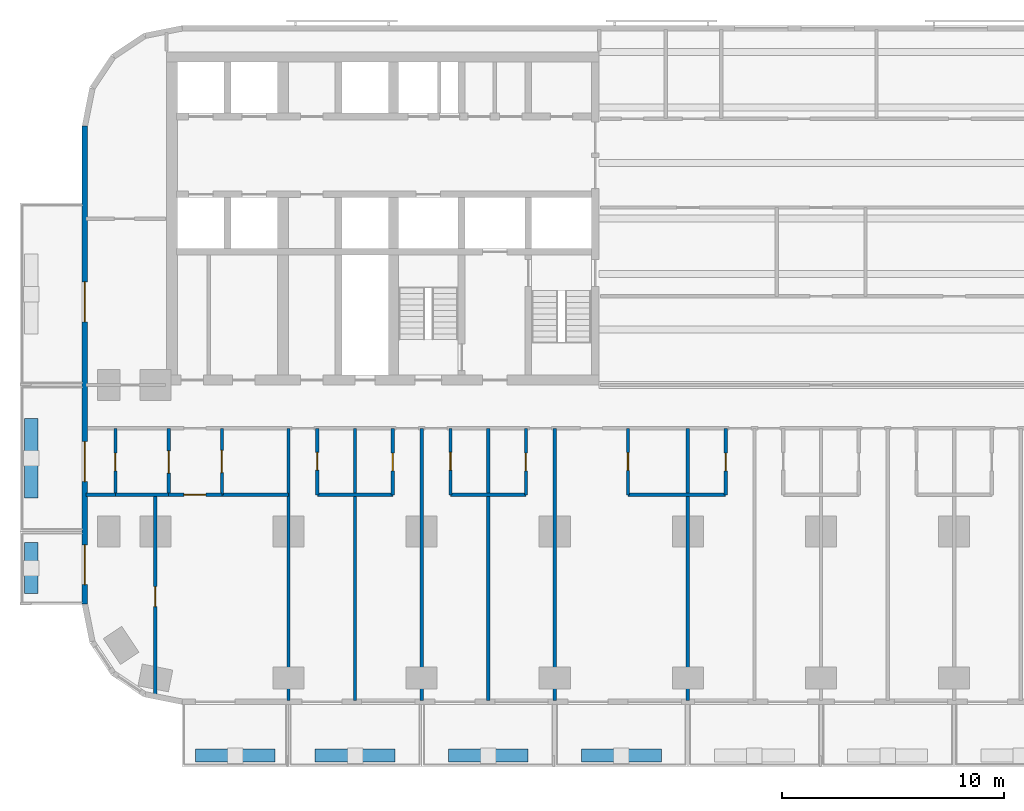
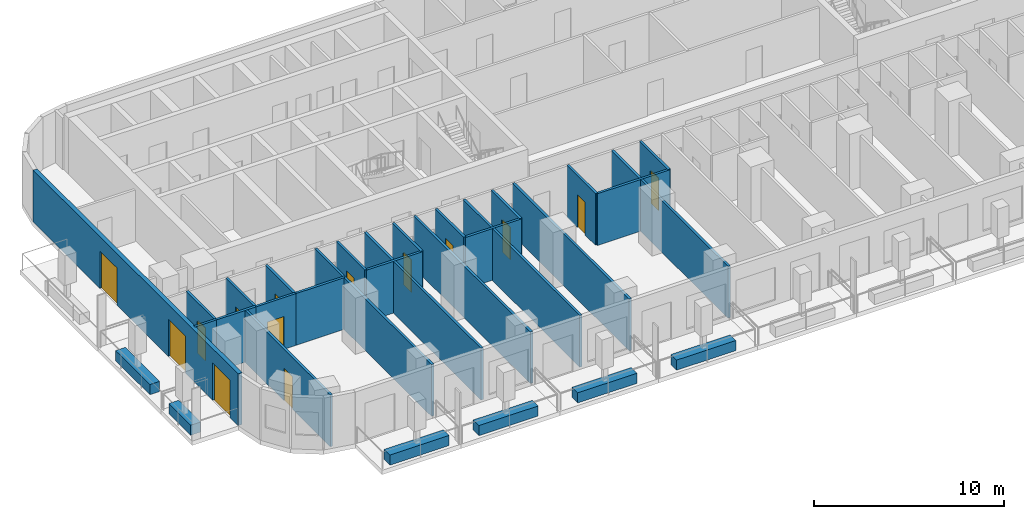
# One storey, part 2 of 15: 30 walls, 14 doors, 14 openings.
"""IFC4 building model written with IfcOpenShell, lengths in metres."""

from ifc_helpers import new_model, si_unit, direction, frame, frame_2d, origin, place, context, subcontext, project, spatial, rectangle, extrude, material, layer, layer_set, type_object, element, fill, save


model = new_model("IFC4")

# Units and contexts
model_context = context("Model", 3, precision=1e-05, world=origin(), true_north=direction((0.0, 1.0)))
body_context = subcontext(model_context, "Body", "Model", "MODEL_VIEW")
ifc_project = project(units=[si_unit("LENGTHUNIT", "METRE"), si_unit("AREAUNIT", "SQUARE_METRE"), si_unit("VOLUMEUNIT", "CUBIC_METRE"), si_unit("PLANEANGLEUNIT", "RADIAN"), si_unit("MASSUNIT", "GRAM", prefix="KILO")], contexts=[model_context])

# Site, building, storey
site_placement = place(None, origin())
site = spatial("IfcSite", under=ifc_project, at=site_placement, CompositionType="ELEMENT")
building_placement = place(site_placement, origin())
building = spatial("IfcBuilding", under=site, at=building_placement, Name="Torana Hotel and Residences", CompositionType="ELEMENT")
storey_placement = place(building_placement, frame((0.0, 0.0, 31.199951171875)))
storey = spatial("IfcBuildingStorey", under=building, at=storey_placement, Name="L06", CompositionType="ELEMENT", Elevation=31.199951171875)

# Wall, openings, doors
ifc_material_1 = material(Name="Black aluminium composite panel", Category="aluminium")
ifc_layer_1 = layer(ifc_material_1, 0.00390625, Name="Cladding", Category="cladding")
ifc_material_2 = material(Name="Ventilated air cavity")
ifc_layer_2 = layer(ifc_material_2, 0.0400390625, Name="Ventilated cavity", Category="cavity")
ifc_material_3 = material(Name="Mineral wool insulation")
ifc_layer_3 = layer(ifc_material_3, 0.090087890625, Name="Insulation", Category="insulation")
ifc_material_4 = material(Name="Steel S280GD", Category="steel")
ifc_layer_4 = layer(ifc_material_4, 0.092041015625, Name="Steel stud frame", Category="structure")
ifc_material_5 = material(Name="Fire rated plasterboard")
ifc_layer_5 = layer(ifc_material_5, 0.011962890625, Name="Inner board", Category="finish")
ifc_layer_6 = layer(ifc_material_5, 0.011962890625, Name="Second board", Category="finish")
ifc_layer_set_1 = layer_set([ifc_layer_1, ifc_layer_2, ifc_layer_3, ifc_layer_4, ifc_layer_5, ifc_layer_6], Name="EW1 EXTERNAL WALL BLACK METAL CLAD 250")
wall_type_1 = type_object("IfcWallType", Name="EW1 EXTERNAL WALL BLACK METAL CLAD 250", PredefinedType="SOLIDWALL", material=ifc_layer_set_1)
wall_1_placement = place(storey_placement, frame((-33.175048828125, -3.32470703125, 0.0), z_axis=(0.0, 0.0, 1.0), x_axis=(0.0, -1.0, 0.0)))
wall_1 = element("IfcWall", 1, at=wall_1_placement, inside=storey, type_object=wall_type_1, Name="External wall L06 e0.9", PredefinedType="SOLIDWALL", context=body_context, shape_type="SweptSolid", body=[
    extrude(rectangle(XDim=21.55078125, YDim=0.25, at=frame_2d((10.775390625, 0.0))), origin(), (0.0, 0.0, 1.0), 3.320068359375),
])
opening_1_placement = place(wall_1_placement, frame((7.025390625, 0.0, 0.0)))
opening_1 = element("IfcOpeningElement", 2, at=opening_1_placement, cuts=wall_1, Name="Opening L06-E14", PredefinedType="OPENING", context=body_context, shape_type="SweptSolid", body=[
    extrude(rectangle(XDim=1.800048828125, YDim=2.39990234375, at=frame_2d((0.89990234375, 1.199951171875))), frame((0.0, 0.135009765625, 0.0), z_axis=(0.0, -1.0, 0.0), x_axis=(1.0, 0.0, 0.0)), (0.0, 0.0, 1.0), 0.27001953125),
])
opening_2_placement = place(wall_1_placement, frame((14.225341796875, 0.0, 0.0)))
opening_2 = element("IfcOpeningElement", 3, at=opening_2_placement, cuts=wall_1, Name="Opening L06-E15", PredefinedType="OPENING", context=body_context, shape_type="SweptSolid", body=[
    extrude(rectangle(XDim=1.800048828125, YDim=2.39990234375, at=frame_2d((0.89990234375, 1.199951171875))), frame((0.0, 0.135009765625, 0.0), z_axis=(0.0, -1.0, 0.0), x_axis=(1.0, 0.0, 0.0)), (0.0, 0.0, 1.0), 0.27001953125),
])
opening_3_placement = place(wall_1_placement, frame((18.87548828125, 0.0, 0.0)))
opening_3 = element("IfcOpeningElement", 4, at=opening_3_placement, cuts=wall_1, Name="Opening L06-E16", PredefinedType="OPENING", context=body_context, shape_type="SweptSolid", body=[
    extrude(rectangle(XDim=1.800048828125, YDim=2.39990234375, at=frame_2d((0.89990234375, 1.199951171875))), frame((0.0, 0.135009765625, 0.0), z_axis=(0.0, -1.0, 0.0), x_axis=(1.0, 0.0, 0.0)), (0.0, 0.0, 1.0), 0.27001953125),
])
ifc_material_6 = material(Name="Dark glass in black aluminium frame", Category="aluminium")
door_type_1 = type_object("IfcDoorType", Name="DB1 BALCONY DOOR 1800x2400", OperationType="DOUBLE_DOOR_SINGLE_SWING", PredefinedType="DOOR", material=ifc_material_6)
door_1_placement = place(opening_1_placement, origin())
door_1 = element("IfcDoor", 5, at=door_1_placement, inside=storey, type_object=door_type_1, Name="Balcony door L06", OperationType="DOUBLE_DOOR_SINGLE_SWING", OverallHeight=2.39990234375, OverallWidth=1.800048828125, PredefinedType="DOOR", context=body_context, shape_type="SweptSolid", body=[
    extrude(rectangle(XDim=1.800048828125, YDim=2.39990234375, at=frame_2d((0.89990234375, 1.199951171875))), frame((0.0, 0.02490234375, 0.0), z_axis=(0.0, -1.0, 0.0), x_axis=(1.0, 0.0, 0.0)), (0.0, 0.0, 1.0), 0.050048828125),
])
fill(opening_1, door_1)
door_2_placement = place(opening_2_placement, origin())
door_2 = element("IfcDoor", 6, at=door_2_placement, inside=storey, type_object=door_type_1, Name="Balcony door L06", OperationType="DOUBLE_DOOR_SINGLE_SWING", OverallHeight=2.39990234375, OverallWidth=1.800048828125, PredefinedType="DOOR", context=body_context, shape_type="SweptSolid", body=[
    extrude(rectangle(XDim=1.800048828125, YDim=2.39990234375, at=frame_2d((0.89990234375, 1.199951171875))), frame((0.0, 0.02490234375, 0.0), z_axis=(0.0, -1.0, 0.0), x_axis=(1.0, 0.0, 0.0)), (0.0, 0.0, 1.0), 0.050048828125),
])
fill(opening_2, door_2)
door_3_placement = place(opening_3_placement, frame((0.89990234375, 0.0, 0.0), z_axis=(0.0, 0.0, 1.0), x_axis=(-1.0, 0.0, 0.0)))
door_3 = element("IfcDoor", 7, at=door_3_placement, inside=storey, type_object=door_type_1, Name="Balcony door L06", OperationType="DOUBLE_DOOR_SINGLE_SWING", OverallHeight=2.39990234375, OverallWidth=1.800048828125, PredefinedType="DOOR", context=body_context, shape_type="SweptSolid", body=[
    extrude(rectangle(XDim=1.800048828125, YDim=2.39990234375, at=frame_2d((0.0, 1.199951171875))), frame((0.0, -0.02490234375, 0.0), z_axis=(0.0, 1.0, 0.0), x_axis=(-1.0, 0.0, 0.0)), (0.0, 0.0, 1.0), 0.050048828125),
])
fill(opening_3, door_3)

# Wall, opening, door
ifc_material_7 = material(Name="Gypsum plaster")
ifc_layer_7 = layer(ifc_material_7, 0.014892578125, Name="Plaster", Category="finish")
ifc_material_8 = material(Name="Concrete blockwork", Category="masonry")
ifc_layer_8 = layer(ifc_material_8, 0.1201171875, Name="Blockwork", Category="structure")
ifc_layer_9 = layer(ifc_material_7, 0.014892578125, Name="Plaster", Category="finish")
ifc_layer_set_2 = layer_set([ifc_layer_7, ifc_layer_8, ifc_layer_9], Name="FIRE PARTITION 150 BLOCKWORK")
wall_type_2 = type_object("IfcWallType", Name="FIRE PARTITION 150 BLOCKWORK", PredefinedType="PARTITIONING", material=ifc_layer_set_2)
wall_2_placement = place(storey_placement, frame((-27.0, -19.949951171875, 0.0), z_axis=(0.0, 0.0, 1.0), x_axis=(0.0, 1.0, 0.0)))
wall_2 = element("IfcWall", 8, at=wall_2_placement, inside=storey, type_object=wall_type_2, Name="Partition L06", PredefinedType="PARTITIONING", context=body_context, shape_type="SweptSolid", body=[
    extrude(rectangle(XDim=3.0, YDim=0.14990234375, at=frame_2d((1.5, 0.0))), origin(), (0.0, 0.0, 1.0), 3.320068359375),
])
opening_4_placement = place(wall_2_placement, frame((1.0, 0.0, 0.0)))
opening_4 = element("IfcOpeningElement", 9, at=opening_4_placement, cuts=wall_2, Name="Opening L06-80", PredefinedType="OPENING", context=body_context, shape_type="SweptSolid", body=[
    extrude(rectangle(XDim=1.0, YDim=2.10009765625, at=frame_2d((0.5, 1.050048828125))), frame((0.0, 0.0849609375, 0.0), z_axis=(0.0, -1.0, 0.0), x_axis=(1.0, 0.0, 0.0)), (0.0, 0.0, 1.0), 0.169921875),
])
ifc_material_9 = material(Name="Steel S235", Category="steel")
door_type_2 = type_object("IfcDoorType", Name="ENTRY FIRE DOOR D6 1000x2100", OperationType="SINGLE_SWING_LEFT", PredefinedType="DOOR", material=ifc_material_9)
door_4_placement = place(opening_4_placement, frame((0.5, 0.0, 0.0), z_axis=(0.0, 0.0, 1.0), x_axis=(-1.0, 0.0, 0.0)))
door_4 = element("IfcDoor", 10, at=door_4_placement, inside=storey, type_object=door_type_2, Name="Door L06", OperationType="SINGLE_SWING_LEFT", OverallHeight=2.10009765625, OverallWidth=1.0, PredefinedType="DOOR", context=body_context, shape_type="SweptSolid", body=[
    extrude(rectangle(XDim=1.0, YDim=2.10009765625, at=frame_2d((0.0, 1.050048828125))), frame((0.0, -0.02490234375, 0.0), z_axis=(0.0, 1.0, 0.0), x_axis=(-1.0, 0.0, 0.0)), (0.0, 0.0, 1.0), 0.050048828125),
])
fill(opening_4, door_4)

wall_3_placement = place(storey_placement, frame((-29.39990234375, -19.949951171875, 0.0), z_axis=(0.0, 0.0, 1.0), x_axis=(0.0, 1.0, 0.0)))
wall_3 = element("IfcWall", 11, at=wall_3_placement, inside=storey, type_object=wall_type_2, Name="Partition L06", PredefinedType="PARTITIONING", context=body_context, shape_type="SweptSolid", body=[
    extrude(rectangle(XDim=3.0, YDim=0.14990234375, at=frame_2d((1.5, 0.0))), origin(), (0.0, 0.0, 1.0), 3.320068359375),
])
opening_5_placement = place(wall_3_placement, frame((0.97998046875, 0.0, 0.0)))
opening_5 = element("IfcOpeningElement", 12, at=opening_5_placement, cuts=wall_3, Name="Opening L06-81", PredefinedType="OPENING", context=body_context, shape_type="SweptSolid", body=[
    extrude(rectangle(XDim=1.0, YDim=2.10009765625, at=frame_2d((0.5, 1.050048828125))), frame((0.0, 0.0849609375, 0.0), z_axis=(0.0, -1.0, 0.0), x_axis=(1.0, 0.0, 0.0)), (0.0, 0.0, 1.0), 0.169921875),
])
door_5_placement = place(opening_5_placement, origin())
door_5 = element("IfcDoor", 13, at=door_5_placement, inside=storey, type_object=door_type_2, Name="Door L06", OperationType="SINGLE_SWING_RIGHT", OverallHeight=2.10009765625, OverallWidth=1.0, PredefinedType="DOOR", context=body_context, shape_type="SweptSolid", body=[
    extrude(rectangle(XDim=1.0, YDim=2.10009765625, at=frame_2d((0.5, 1.050048828125))), frame((0.0, 0.02490234375, 0.0), z_axis=(0.0, -1.0, 0.0), x_axis=(1.0, 0.0, 0.0)), (0.0, 0.0, 1.0), 0.050048828125),
])
fill(opening_5, door_5)

wall_4_placement = place(storey_placement, frame((-29.39990234375, -19.949951171875, 0.0), z_axis=(0.0, 0.0, 1.0), x_axis=(1.0, 0.0, 0.0)))
wall_4 = element("IfcWall", 14, at=wall_4_placement, inside=storey, type_object=wall_type_2, Name="Partition L06", PredefinedType="PARTITIONING", context=body_context, shape_type="SweptSolid", body=[
    extrude(rectangle(XDim=2.39990234375, YDim=0.14990234375, at=frame_2d((1.199951171875, 0.0))), origin(), (0.0, 0.0, 1.0), 3.320068359375),
])
opening_6_placement = place(wall_4_placement, frame((0.679931640625, 0.0, 0.0)))
opening_6 = element("IfcOpeningElement", 15, at=opening_6_placement, cuts=wall_4, Name="Opening L06-82", PredefinedType="OPENING", context=body_context, shape_type="SweptSolid", body=[
    extrude(rectangle(XDim=1.0, YDim=2.10009765625, at=frame_2d((0.5, 1.050048828125))), frame((0.0, 0.0849609375, 0.0), z_axis=(0.0, -1.0, 0.0), x_axis=(1.0, 0.0, 0.0)), (0.0, 0.0, 1.0), 0.169921875),
])
door_6_placement = place(opening_6_placement, frame((0.5, 0.0, 0.0), z_axis=(0.0, 0.0, 1.0), x_axis=(-1.0, 0.0, 0.0)))
door_6 = element("IfcDoor", 16, at=door_6_placement, inside=storey, type_object=door_type_2, Name="Door L06", OperationType="SINGLE_SWING_LEFT", OverallHeight=2.10009765625, OverallWidth=1.0, PredefinedType="DOOR", context=body_context, shape_type="SweptSolid", body=[
    extrude(rectangle(XDim=1.0, YDim=2.10009765625, at=frame_2d((0.0, 1.050048828125))), frame((0.0, -0.02490234375, 0.0), z_axis=(0.0, 1.0, 0.0), x_axis=(-1.0, 0.0, 0.0)), (0.0, 0.0, 1.0), 0.050048828125),
])
fill(opening_6, door_6)

ifc_material_10 = material(Name="Gypsum plasterboard")
ifc_layer_10 = layer(ifc_material_10, 0.012451171875, Name="Plasterboard", Category="finish")
ifc_layer_11 = layer(ifc_material_10, 0.012451171875, Name="Plasterboard", Category="finish")
ifc_layer_12 = layer(ifc_material_4, 0.10009765625, Name="Steel studs with mineral wool", Category="insulation")
ifc_layer_13 = layer(ifc_material_10, 0.012451171875, Name="Plasterboard", Category="finish")
ifc_layer_14 = layer(ifc_material_10, 0.012451171875, Name="Plasterboard", Category="finish")
ifc_layer_set_3 = layer_set([ifc_layer_10, ifc_layer_11, ifc_layer_12, ifc_layer_13, ifc_layer_14], Name="PARTITION 150 PLASTERBOARD")
wall_type_3 = type_object("IfcWallType", Name="PARTITION 150 PLASTERBOARD", PredefinedType="PARTITIONING", material=ifc_layer_set_3)
wall_5_placement = place(storey_placement, frame((-4.300048828125, -19.949951171875, 0.0), z_axis=(0.0, 0.0, 1.0), x_axis=(0.0, 1.0, 0.0)))
wall_5 = element("IfcWall", 17, at=wall_5_placement, inside=storey, type_object=wall_type_3, Name="Partition L06", PredefinedType="PARTITIONING", context=body_context, shape_type="SweptSolid", body=[
    extrude(rectangle(XDim=3.0, YDim=0.14990234375, at=frame_2d((1.5, 0.0))), origin(), (0.0, 0.0, 1.0), 3.320068359375),
])
opening_7_placement = place(wall_5_placement, frame((1.080078125, 0.0, 0.0)))
opening_7 = element("IfcOpeningElement", 18, at=opening_7_placement, cuts=wall_5, Name="Opening L06-70", PredefinedType="OPENING", context=body_context, shape_type="SweptSolid", body=[
    extrude(rectangle(XDim=0.800048828125, YDim=2.10009765625, at=frame_2d((0.39990234375, 1.050048828125))), frame((0.0, 0.0849609375, 0.0), z_axis=(0.0, -1.0, 0.0), x_axis=(1.0, 0.0, 0.0)), (0.0, 0.0, 1.0), 0.169921875),
])
ifc_material_11 = material(Name="Timber door, painted", Category="wood")
door_type_3 = type_object("IfcDoorType", Name="BATH DOOR D13 800x2100", OperationType="SINGLE_SWING_LEFT", PredefinedType="DOOR", material=ifc_material_11)
door_7_placement = place(opening_7_placement, origin())
door_7 = element("IfcDoor", 19, at=door_7_placement, inside=storey, type_object=door_type_3, Name="Door L06", OperationType="SINGLE_SWING_RIGHT", OverallHeight=2.10009765625, OverallWidth=0.800048828125, PredefinedType="DOOR", context=body_context, shape_type="SweptSolid", body=[
    extrude(rectangle(XDim=0.800048828125, YDim=2.10009765625, at=frame_2d((0.39990234375, 1.050048828125))), frame((0.0, 0.02490234375, 0.0), z_axis=(0.0, -1.0, 0.0), x_axis=(1.0, 0.0, 0.0)), (0.0, 0.0, 1.0), 0.050048828125),
])
fill(opening_7, door_7)

# Wall
wall_6_placement = place(storey_placement, frame((-6.0, -29.219970703125, 0.0), z_axis=(0.0, 0.0, 1.0), x_axis=(0.0, 1.0, 0.0)))
element("IfcWall", 20, at=wall_6_placement, inside=storey, type_object=wall_type_3, Name="Partition L06", PredefinedType="PARTITIONING", context=body_context, shape_type="SweptSolid", body=[
    extrude(rectangle(XDim=12.27001953125, YDim=0.14990234375, at=frame_2d((6.135009765625, 0.0))), origin(), (0.0, 0.0, 1.0), 3.320068359375),
])

# Wall, opening, door
wall_7_placement = place(storey_placement, frame((-8.699951171875, -19.949951171875, 0.0), z_axis=(0.0, 0.0, 1.0), x_axis=(0.0, 1.0, 0.0)))
wall_7 = element("IfcWall", 21, at=wall_7_placement, inside=storey, type_object=wall_type_3, Name="Partition L06", PredefinedType="PARTITIONING", context=body_context, shape_type="SweptSolid", body=[
    extrude(rectangle(XDim=3.0, YDim=0.14990234375, at=frame_2d((1.5, 0.0))), origin(), (0.0, 0.0, 1.0), 3.320068359375),
])
opening_8_placement = place(wall_7_placement, frame((1.10009765625, 0.0, 0.0)))
opening_8 = element("IfcOpeningElement", 22, at=opening_8_placement, cuts=wall_7, Name="Opening L06-69", PredefinedType="OPENING", context=body_context, shape_type="SweptSolid", body=[
    extrude(rectangle(XDim=0.800048828125, YDim=2.10009765625, at=frame_2d((0.39990234375, 1.050048828125))), frame((0.0, 0.0849609375, 0.0), z_axis=(0.0, -1.0, 0.0), x_axis=(1.0, 0.0, 0.0)), (0.0, 0.0, 1.0), 0.169921875),
])
door_8_placement = place(opening_8_placement, origin())
door_8 = element("IfcDoor", 23, at=door_8_placement, inside=storey, type_object=door_type_3, Name="Door L06", OperationType="SINGLE_SWING_LEFT", OverallHeight=2.10009765625, OverallWidth=0.800048828125, PredefinedType="DOOR", context=body_context, shape_type="SweptSolid", body=[
    extrude(rectangle(XDim=0.800048828125, YDim=2.10009765625, at=frame_2d((0.39990234375, 1.050048828125))), frame((0.0, 0.02490234375, 0.0), z_axis=(0.0, -1.0, 0.0), x_axis=(1.0, 0.0, 0.0)), (0.0, 0.0, 1.0), 0.050048828125),
])
fill(opening_8, door_8)

# Wall
wall_8_placement = place(storey_placement, frame((-12.0, -29.219970703125, 0.0), z_axis=(0.0, 0.0, 1.0), x_axis=(0.0, 1.0, 0.0)))
element("IfcWall", 24, at=wall_8_placement, inside=storey, type_object=wall_type_3, Name="Partition L06", PredefinedType="PARTITIONING", context=body_context, shape_type="SweptSolid", body=[
    extrude(rectangle(XDim=12.27001953125, YDim=0.14990234375, at=frame_2d((6.135009765625, 0.0))), origin(), (0.0, 0.0, 1.0), 3.320068359375),
])

# Wall, opening, door
wall_9_placement = place(storey_placement, frame((-13.300048828125, -19.949951171875, 0.0), z_axis=(0.0, 0.0, 1.0), x_axis=(0.0, 1.0, 0.0)))
wall_9 = element("IfcWall", 25, at=wall_9_placement, inside=storey, type_object=wall_type_3, Name="Partition L06", PredefinedType="PARTITIONING", context=body_context, shape_type="SweptSolid", body=[
    extrude(rectangle(XDim=3.0, YDim=0.14990234375, at=frame_2d((1.5, 0.0))), origin(), (0.0, 0.0, 1.0), 3.320068359375),
])
opening_9_placement = place(wall_9_placement, frame((1.080078125, 0.0, 0.0)))
opening_9 = element("IfcOpeningElement", 26, at=opening_9_placement, cuts=wall_9, Name="Opening L06-68", PredefinedType="OPENING", context=body_context, shape_type="SweptSolid", body=[
    extrude(rectangle(XDim=0.800048828125, YDim=2.10009765625, at=frame_2d((0.39990234375, 1.050048828125))), frame((0.0, 0.0849609375, 0.0), z_axis=(0.0, -1.0, 0.0), x_axis=(1.0, 0.0, 0.0)), (0.0, 0.0, 1.0), 0.169921875),
])
door_9_placement = place(opening_9_placement, origin())
door_9 = element("IfcDoor", 27, at=door_9_placement, inside=storey, type_object=door_type_3, Name="Door L06", OperationType="SINGLE_SWING_RIGHT", OverallHeight=2.10009765625, OverallWidth=0.800048828125, PredefinedType="DOOR", context=body_context, shape_type="SweptSolid", body=[
    extrude(rectangle(XDim=0.800048828125, YDim=2.10009765625, at=frame_2d((0.39990234375, 1.050048828125))), frame((0.0, 0.02490234375, 0.0), z_axis=(0.0, -1.0, 0.0), x_axis=(1.0, 0.0, 0.0)), (0.0, 0.0, 1.0), 0.050048828125),
])
fill(opening_9, door_9)

# Wall
wall_10_placement = place(storey_placement, frame((-15.0, -29.219970703125, 0.0), z_axis=(0.0, 0.0, 1.0), x_axis=(0.0, 1.0, 0.0)))
element("IfcWall", 28, at=wall_10_placement, inside=storey, type_object=wall_type_3, Name="Partition L06", PredefinedType="PARTITIONING", context=body_context, shape_type="SweptSolid", body=[
    extrude(rectangle(XDim=12.27001953125, YDim=0.14990234375, at=frame_2d((6.135009765625, 0.0))), origin(), (0.0, 0.0, 1.0), 3.320068359375),
])

# Wall, opening, door
wall_11_placement = place(storey_placement, frame((-16.699951171875, -19.949951171875, 0.0), z_axis=(0.0, 0.0, 1.0), x_axis=(0.0, 1.0, 0.0)))
wall_11 = element("IfcWall", 29, at=wall_11_placement, inside=storey, type_object=wall_type_3, Name="Partition L06", PredefinedType="PARTITIONING", context=body_context, shape_type="SweptSolid", body=[
    extrude(rectangle(XDim=3.0, YDim=0.14990234375, at=frame_2d((1.5, 0.0))), origin(), (0.0, 0.0, 1.0), 3.320068359375),
])
opening_10_placement = place(wall_11_placement, frame((1.1201171875, 0.0, 0.0)))
opening_10 = element("IfcOpeningElement", 30, at=opening_10_placement, cuts=wall_11, Name="Opening L06-67", PredefinedType="OPENING", context=body_context, shape_type="SweptSolid", body=[
    extrude(rectangle(XDim=0.800048828125, YDim=2.10009765625, at=frame_2d((0.39990234375, 1.050048828125))), frame((0.0, 0.0849609375, 0.0), z_axis=(0.0, -1.0, 0.0), x_axis=(1.0, 0.0, 0.0)), (0.0, 0.0, 1.0), 0.169921875),
])
door_10_placement = place(opening_10_placement, origin())
door_10 = element("IfcDoor", 31, at=door_10_placement, inside=storey, type_object=door_type_3, Name="Door L06", OperationType="SINGLE_SWING_LEFT", OverallHeight=2.10009765625, OverallWidth=0.800048828125, PredefinedType="DOOR", context=body_context, shape_type="SweptSolid", body=[
    extrude(rectangle(XDim=0.800048828125, YDim=2.10009765625, at=frame_2d((0.39990234375, 1.050048828125))), frame((0.0, 0.02490234375, 0.0), z_axis=(0.0, -1.0, 0.0), x_axis=(1.0, 0.0, 0.0)), (0.0, 0.0, 1.0), 0.050048828125),
])
fill(opening_10, door_10)

# Wall
wall_12_placement = place(storey_placement, frame((-18.0, -29.219970703125, 0.0), z_axis=(0.0, 0.0, 1.0), x_axis=(0.0, 1.0, 0.0)))
element("IfcWall", 32, at=wall_12_placement, inside=storey, type_object=wall_type_3, Name="Partition L06", PredefinedType="PARTITIONING", context=body_context, shape_type="SweptSolid", body=[
    extrude(rectangle(XDim=12.27001953125, YDim=0.14990234375, at=frame_2d((6.135009765625, 0.0))), origin(), (0.0, 0.0, 1.0), 3.320068359375),
])

# Wall, opening, door
wall_13_placement = place(storey_placement, frame((-19.300048828125, -19.949951171875, 0.0), z_axis=(0.0, 0.0, 1.0), x_axis=(0.0, 1.0, 0.0)))
wall_13 = element("IfcWall", 33, at=wall_13_placement, inside=storey, type_object=wall_type_3, Name="Partition L06", PredefinedType="PARTITIONING", context=body_context, shape_type="SweptSolid", body=[
    extrude(rectangle(XDim=3.0, YDim=0.14990234375, at=frame_2d((1.5, 0.0))), origin(), (0.0, 0.0, 1.0), 3.320068359375),
])
opening_11_placement = place(wall_13_placement, frame((1.080078125, 0.0, 0.0)))
opening_11 = element("IfcOpeningElement", 34, at=opening_11_placement, cuts=wall_13, Name="Opening L06-66", PredefinedType="OPENING", context=body_context, shape_type="SweptSolid", body=[
    extrude(rectangle(XDim=0.800048828125, YDim=2.10009765625, at=frame_2d((0.39990234375, 1.050048828125))), frame((0.0, 0.0849609375, 0.0), z_axis=(0.0, -1.0, 0.0), x_axis=(1.0, 0.0, 0.0)), (0.0, 0.0, 1.0), 0.169921875),
])
door_11_placement = place(opening_11_placement, origin())
door_11 = element("IfcDoor", 35, at=door_11_placement, inside=storey, type_object=door_type_3, Name="Door L06", OperationType="SINGLE_SWING_RIGHT", OverallHeight=2.10009765625, OverallWidth=0.800048828125, PredefinedType="DOOR", context=body_context, shape_type="SweptSolid", body=[
    extrude(rectangle(XDim=0.800048828125, YDim=2.10009765625, at=frame_2d((0.39990234375, 1.050048828125))), frame((0.0, 0.02490234375, 0.0), z_axis=(0.0, -1.0, 0.0), x_axis=(1.0, 0.0, 0.0)), (0.0, 0.0, 1.0), 0.050048828125),
])
fill(opening_11, door_11)

# Wall
wall_14_placement = place(storey_placement, frame((-21.0, -29.219970703125, 0.0), z_axis=(0.0, 0.0, 1.0), x_axis=(0.0, 1.0, 0.0)))
element("IfcWall", 36, at=wall_14_placement, inside=storey, type_object=wall_type_3, Name="Partition L06", PredefinedType="PARTITIONING", context=body_context, shape_type="SweptSolid", body=[
    extrude(rectangle(XDim=12.27001953125, YDim=0.14990234375, at=frame_2d((6.135009765625, 0.0))), origin(), (0.0, 0.0, 1.0), 3.320068359375),
])

# Wall, opening, door
wall_15_placement = place(storey_placement, frame((-22.699951171875, -19.949951171875, 0.0), z_axis=(0.0, 0.0, 1.0), x_axis=(0.0, 1.0, 0.0)))
wall_15 = element("IfcWall", 37, at=wall_15_placement, inside=storey, type_object=wall_type_3, Name="Partition L06", PredefinedType="PARTITIONING", context=body_context, shape_type="SweptSolid", body=[
    extrude(rectangle(XDim=3.0, YDim=0.14990234375, at=frame_2d((1.5, 0.0))), origin(), (0.0, 0.0, 1.0), 3.320068359375),
])
opening_12_placement = place(wall_15_placement, frame((1.1201171875, 0.0, 0.0)))
opening_12 = element("IfcOpeningElement", 38, at=opening_12_placement, cuts=wall_15, Name="Opening L06-65", PredefinedType="OPENING", context=body_context, shape_type="SweptSolid", body=[
    extrude(rectangle(XDim=0.800048828125, YDim=2.10009765625, at=frame_2d((0.39990234375, 1.050048828125))), frame((0.0, 0.0849609375, 0.0), z_axis=(0.0, -1.0, 0.0), x_axis=(1.0, 0.0, 0.0)), (0.0, 0.0, 1.0), 0.169921875),
])
door_12_placement = place(opening_12_placement, origin())
door_12 = element("IfcDoor", 39, at=door_12_placement, inside=storey, type_object=door_type_3, Name="Door L06", OperationType="SINGLE_SWING_LEFT", OverallHeight=2.10009765625, OverallWidth=0.800048828125, PredefinedType="DOOR", context=body_context, shape_type="SweptSolid", body=[
    extrude(rectangle(XDim=0.800048828125, YDim=2.10009765625, at=frame_2d((0.39990234375, 1.050048828125))), frame((0.0, 0.02490234375, 0.0), z_axis=(0.0, -1.0, 0.0), x_axis=(1.0, 0.0, 0.0)), (0.0, 0.0, 1.0), 0.050048828125),
])
fill(opening_12, door_12)

# Wall
wall_16_placement = place(storey_placement, frame((-24.0, -29.219970703125, 0.0), z_axis=(0.0, 0.0, 1.0), x_axis=(0.0, 1.0, 0.0)))
element("IfcWall", 40, at=wall_16_placement, inside=storey, type_object=wall_type_3, Name="Partition L06", PredefinedType="PARTITIONING", context=body_context, shape_type="SweptSolid", body=[
    extrude(rectangle(XDim=12.27001953125, YDim=0.14990234375, at=frame_2d((6.135009765625, 0.0))), origin(), (0.0, 0.0, 1.0), 3.320068359375),
])

# Wall, opening, door
wall_17_placement = place(storey_placement, frame((-30.0, -28.977783203125, 0.0), z_axis=(0.0, 0.0, 1.0), x_axis=(0.0, 1.0, 0.0)))
wall_17 = element("IfcWall", 41, at=wall_17_placement, inside=storey, type_object=wall_type_3, Name="Partition L06", PredefinedType="PARTITIONING", context=body_context, shape_type="SweptSolid", body=[
    extrude(rectangle(XDim=9.02783203125, YDim=0.14990234375, at=frame_2d((4.513916015625, 0.0))), origin(), (0.0, 0.0, 1.0), 3.320068359375),
])
opening_13_placement = place(wall_17_placement, frame((3.98681640625, 0.0, 0.0)))
opening_13 = element("IfcOpeningElement", 42, at=opening_13_placement, cuts=wall_17, Name="Opening L06-84", PredefinedType="OPENING", context=body_context, shape_type="SweptSolid", body=[
    extrude(rectangle(XDim=0.89990234375, YDim=2.10009765625, at=frame_2d((0.449951171875, 1.050048828125))), frame((0.0, 0.0849609375, 0.0), z_axis=(0.0, -1.0, 0.0), x_axis=(1.0, 0.0, 0.0)), (0.0, 0.0, 1.0), 0.169921875),
])
ifc_material_12 = material(Name="Timber door, oiled ash", Category="wood")
door_type_4 = type_object("IfcDoorType", Name="ROOM DOOR D7 900x2100", OperationType="SINGLE_SWING_LEFT", PredefinedType="DOOR", material=ifc_material_12)
door_13_placement = place(opening_13_placement, origin())
door_13 = element("IfcDoor", 43, at=door_13_placement, inside=storey, type_object=door_type_4, Name="Door L06", OperationType="SINGLE_SWING_RIGHT", OverallHeight=2.10009765625, OverallWidth=0.89990234375, PredefinedType="DOOR", context=body_context, shape_type="SweptSolid", body=[
    extrude(rectangle(XDim=0.89990234375, YDim=2.10009765625, at=frame_2d((0.449951171875, 1.050048828125))), frame((0.0, 0.02490234375, 0.0), z_axis=(0.0, -1.0, 0.0), x_axis=(1.0, 0.0, 0.0)), (0.0, 0.0, 1.0), 0.050048828125),
])
fill(opening_13, door_13)

# Walls
wall_18_placement = place(storey_placement, frame((-31.800048828125, -19.949951171875, 0.0), z_axis=(0.0, 0.0, 1.0), x_axis=(1.0, 0.0, 0.0)))
element("IfcWall", 44, at=wall_18_placement, inside=storey, type_object=wall_type_3, Name="Partition L06", PredefinedType="PARTITIONING", context=body_context, shape_type="SweptSolid", body=[
    extrude(rectangle(XDim=2.400146484375, YDim=0.14990234375, at=frame_2d((1.2001953125, 0.0))), origin(), (0.0, 0.0, 1.0), 3.320068359375),
])
wall_19_placement = place(storey_placement, frame((-27.0, -19.949951171875, 0.0), z_axis=(0.0, 0.0, 1.0), x_axis=(1.0, 0.0, 0.0)))
element("IfcWall", 45, at=wall_19_placement, inside=storey, type_object=wall_type_3, Name="Partition L06", PredefinedType="PARTITIONING", context=body_context, shape_type="SweptSolid", body=[
    extrude(rectangle(XDim=3.0, YDim=0.14990234375, at=frame_2d((1.5, 0.0))), origin(), (0.0, 0.0, 1.0), 3.320068359375),
])
for number, where, z_axis, x_axis, name in (
    (46, (-22.699951171875, -19.949951171875, 0.0), (0.0, 0.0, 1.0), (1.0, 0.0, 0.0), "Partition L06"),
    (47, (-16.699951171875, -19.949951171875, 0.0), (0.0, 0.0, 1.0), (1.0, 0.0, 0.0), "Partition L06"),
):
    element("IfcWall", number, at=place(storey_placement, frame(where, z_axis=z_axis, x_axis=x_axis)), inside=storey, type_object=wall_type_3, Name=name, PredefinedType="PARTITIONING", context=body_context, shape_type="SweptSolid", body=[
        extrude(rectangle(XDim=3.39990234375, YDim=0.14990234375, at=frame_2d((1.699951171875, 0.0))), origin(), (0.0, 0.0, 1.0), 3.320068359375),
    ])
wall_20_placement = place(storey_placement, frame((-8.699951171875, -19.949951171875, 0.0), z_axis=(0.0, 0.0, 1.0), x_axis=(1.0, 0.0, 0.0)))
element("IfcWall", 48, at=wall_20_placement, inside=storey, type_object=wall_type_3, Name="Partition L06", PredefinedType="PARTITIONING", context=body_context, shape_type="SweptSolid", body=[
    extrude(rectangle(XDim=4.39990234375, YDim=0.14990234375, at=frame_2d((2.199951171875, 0.0))), origin(), (0.0, 0.0, 1.0), 3.320068359375),
])
ifc_material_13 = material(Name="Concrete C40/50 precast", Category="concrete")
ifc_layer_15 = layer(ifc_material_13, 0.10009765625, Name="Planter shell", Category="structure")
ifc_material_14 = material(Name="Root resistant membrane")
ifc_layer_16 = layer(ifc_material_14, 0.00390625, Name="Waterproofing membrane", Category="membrane")
ifc_material_15 = material(Name="Drainage board with filter fleece")
ifc_layer_17 = layer(ifc_material_15, 0.02001953125, Name="Drainage board", Category="drainage")
ifc_material_16 = material(Name="Growing medium")
ifc_layer_18 = layer(ifc_material_16, 0.47607421875, Name="Planting substrate", Category="soil")
ifc_layer_set_4 = layer_set([ifc_layer_15, ifc_layer_16, ifc_layer_17, ifc_layer_18], Name="PL1 BALCONY PLANTER 600")
wall_type_4 = type_object("IfcWallType", Name="PL1 BALCONY PLANTER 600", PredefinedType="USERDEFINED", material=ifc_layer_set_4)
wall_21_placement = place(storey_placement, frame((-24.60009765625, -31.699951171875, 0.0), z_axis=(0.0, 0.0, 1.0), x_axis=(-1.0, 0.0, 0.0)))
element("IfcWall", 49, at=wall_21_placement, inside=storey, type_object=wall_type_4, Name="Planter 01", ObjectType="PLANTER", PredefinedType="USERDEFINED", context=body_context, shape_type="SweptSolid", body=[
    extrude(rectangle(XDim=3.599853515625, YDim=0.60009765625, at=frame_2d((1.7998046875, 0.0))), origin(), (0.0, 0.0, 1.0), 0.650146484375),
])
for number, where, z_axis, x_axis, name in (
    (50, (-19.199951171875, -31.699951171875, 0.0), (0.0, 0.0, 1.0), (-1.0, 0.0, 0.0), "Planter 02"),
    (51, (-13.199951171875, -31.699951171875, 0.0), (0.0, 0.0, 1.0), (-1.0, 0.0, 0.0), "Planter 03"),
    (52, (-7.199951171875, -31.699951171875, 0.0), (0.0, 0.0, 1.0), (-1.0, 0.0, 0.0), "Planter 04"),
):
    element("IfcWall", number, at=place(storey_placement, frame(where, z_axis=z_axis, x_axis=x_axis)), inside=storey, type_object=wall_type_4, Name=name, ObjectType="PLANTER", PredefinedType="USERDEFINED", context=body_context, shape_type="SweptSolid", body=[
        extrude(rectangle(XDim=3.60009765625, YDim=0.60009765625, at=frame_2d((1.800048828125, 0.0))), origin(), (0.0, 0.0, 1.0), 0.650146484375),
    ])
wall_22_placement = place(storey_placement, frame((-35.60009765625, -24.39990234375, 0.0), z_axis=(0.0, 0.0, 1.0), x_axis=(0.0, 1.0, 0.0)))
element("IfcWall", 53, at=wall_22_placement, inside=storey, type_object=wall_type_4, Name="Planter 11", ObjectType="PLANTER", PredefinedType="USERDEFINED", context=body_context, shape_type="SweptSolid", body=[
    extrude(rectangle(XDim=2.2998046875, YDim=0.60009765625, at=frame_2d((1.14990234375, 0.0))), origin(), (0.0, 0.0, 1.0), 0.650146484375),
])
wall_23_placement = place(storey_placement, frame((-35.60009765625, -20.10009765625, 0.0), z_axis=(0.0, 0.0, 1.0), x_axis=(0.0, 1.0, 0.0)))
element("IfcWall", 54, at=wall_23_placement, inside=storey, type_object=wall_type_4, Name="Planter 12", ObjectType="PLANTER", PredefinedType="USERDEFINED", context=body_context, shape_type="SweptSolid", body=[
    extrude(rectangle(XDim=3.60009765625, YDim=0.60009765625, at=frame_2d((1.800048828125, 0.0))), origin(), (0.0, 0.0, 1.0), 0.650146484375),
])

# Wall, opening, door
ifc_material_17 = material(Name="Ceramic tile on adhesive")
ifc_layer_19 = layer(ifc_material_17, 0.010009765625, Name="Wall tile", Category="finish")
ifc_material_18 = material(Name="Cement render")
ifc_layer_20 = layer(ifc_material_18, 0.010009765625, Name="Render", Category="finish")
ifc_layer_21 = layer(ifc_material_8, 0.110107421875, Name="Blockwork", Category="structure")
ifc_layer_22 = layer(ifc_material_18, 0.010009765625, Name="Render", Category="finish")
ifc_layer_23 = layer(ifc_material_17, 0.010009765625, Name="Wall tile", Category="finish")
ifc_layer_set_5 = layer_set([ifc_layer_19, ifc_layer_20, ifc_layer_21, ifc_layer_22, ifc_layer_23], Name="WC PARTITION 150")
wall_type_5 = type_object("IfcWallType", Name="WC PARTITION 150", PredefinedType="PLUMBINGWALL", material=ifc_layer_set_5)
wall_24_placement = place(storey_placement, frame((-31.800048828125, -19.949951171875, 0.0), z_axis=(0.0, 0.0, 1.0), x_axis=(0.0, 1.0, 0.0)))
wall_24 = element("IfcWall", 55, at=wall_24_placement, inside=storey, type_object=wall_type_5, Name="Partition L06", PredefinedType="PLUMBINGWALL", context=body_context, shape_type="SweptSolid", body=[
    extrude(rectangle(XDim=3.0, YDim=0.14990234375, at=frame_2d((1.5, 0.0))), origin(), (0.0, 0.0, 1.0), 3.320068359375),
])
opening_14_placement = place(wall_24_placement, frame((1.080078125, 0.0, 0.0)))
opening_14 = element("IfcOpeningElement", 56, at=opening_14_placement, cuts=wall_24, Name="Opening L06-83", PredefinedType="OPENING", context=body_context, shape_type="SweptSolid", body=[
    extrude(rectangle(XDim=0.800048828125, YDim=2.10009765625, at=frame_2d((0.39990234375, 1.050048828125))), frame((0.0, 0.0849609375, 0.0), z_axis=(0.0, -1.0, 0.0), x_axis=(1.0, 0.0, 0.0)), (0.0, 0.0, 1.0), 0.169921875),
])
door_14_placement = place(opening_14_placement, origin())
door_14 = element("IfcDoor", 57, at=door_14_placement, inside=storey, type_object=door_type_3, Name="Door L06", OperationType="SINGLE_SWING_RIGHT", OverallHeight=2.10009765625, OverallWidth=0.800048828125, PredefinedType="DOOR", context=body_context, shape_type="SweptSolid", body=[
    extrude(rectangle(XDim=0.800048828125, YDim=2.10009765625, at=frame_2d((0.39990234375, 1.050048828125))), frame((0.0, 0.02490234375, 0.0), z_axis=(0.0, -1.0, 0.0), x_axis=(1.0, 0.0, 0.0)), (0.0, 0.0, 1.0), 0.050048828125),
])
fill(opening_14, door_14)

# Wall
wall_25_placement = place(storey_placement, frame((-33.1201171875, -19.949951171875, 0.0), z_axis=(0.0, 0.0, 1.0), x_axis=(1.0, 0.0, 0.0)))
element("IfcWall", 58, at=wall_25_placement, inside=storey, type_object=wall_type_5, Name="Partition L06", PredefinedType="PLUMBINGWALL", context=body_context, shape_type="SweptSolid", body=[
    extrude(rectangle(XDim=1.320068359375, YDim=0.14990234375, at=frame_2d((0.66015625, 0.0))), origin(), (0.0, 0.0, 1.0), 3.320068359375),
])

save(model, "model.ifc")
